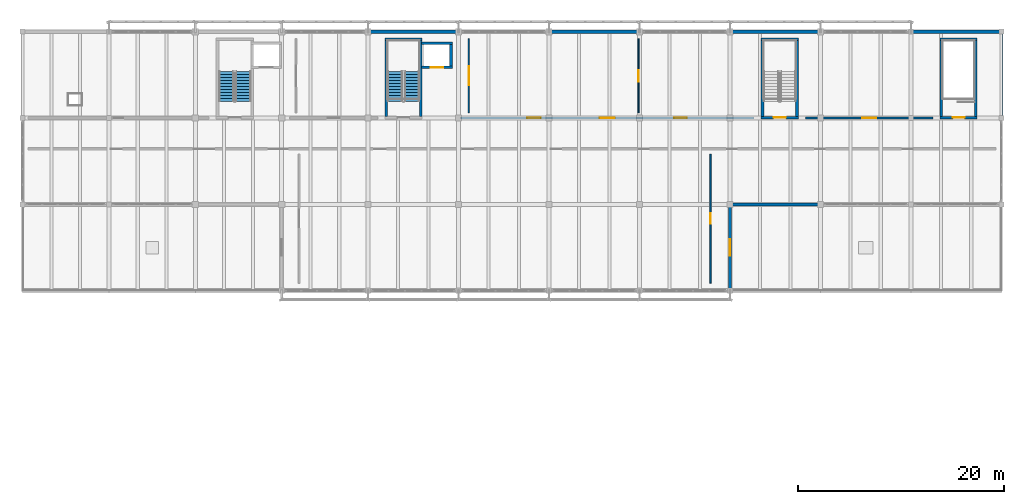
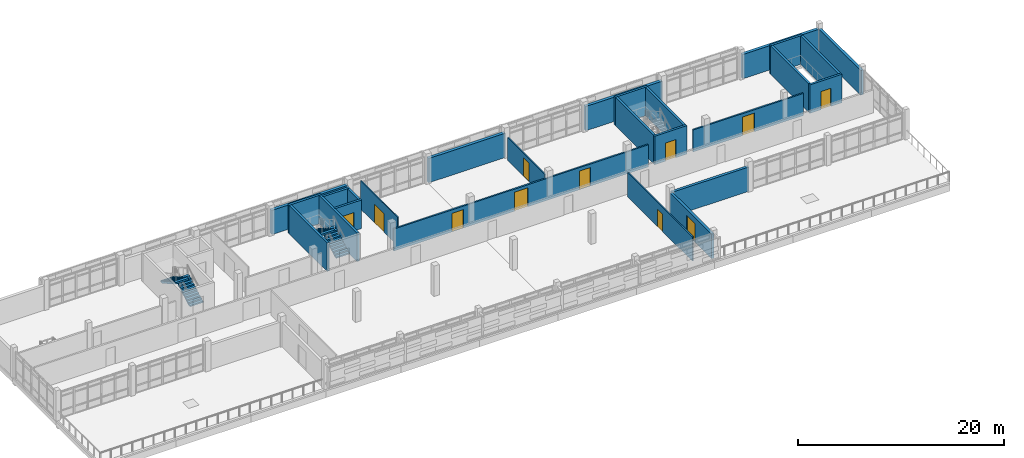
# One storey, part 45 of 50: 26 walls, 11 doors, 4 stair flights, 11 openings, 2 elements without a shape of their own.
"""IFC4 building model written with IfcOpenShell, lengths in metres."""

import ifcopenshell
import ifcopenshell.guid

model = None  # the IFC model being written
_history = None  # IfcOwnerHistory: only IFC2X3 demands one
_inside = {}  # id of a spatial element -> (the spatial element, [elements in it])
_under = {}  # id of a project, library or spatial element -> (it, [spatial elements below it])
_declared = {}  # id of a project -> (the project, [libraries it declares])
_typed = {}  # id of a type object -> (the type object, [elements of that type])
_made_of = {}  # id of a material, layer set ... -> (it, [elements and type objects made of it])


def new_model(schema):
    """Start an empty IFC model of exactly this schema.

    Asked for "IFC4X3", IfcOpenShell would pick the latest addendum, in which some entities
    have other attributes; the version numbers below select the first issue.
    IFC2X3 requires an IfcOwnerHistory on every rooted entity: one is made here for all.
    """
    global model, _history
    if schema == "IFC4X3":
        model = ifcopenshell.file(schema_version=(4, 3, 0, 0))
    else:
        model = ifcopenshell.file(schema=schema)
    _inside.clear()
    _under.clear()
    _declared.clear()
    _typed.clear()
    _made_of.clear()
    _history = None
    if model.schema == "IFC2X3":
        org = make("IfcOrganization", Name="unknown")
        user = make(
            "IfcPersonAndOrganization",
            ThePerson=make("IfcPerson", FamilyName="unknown"),
            TheOrganization=org,
        )
        app = make(
            "IfcApplication",
            ApplicationDeveloper=org,
            Version="unknown",
            ApplicationFullName="unknown",
            ApplicationIdentifier="unknown",
        )
        _history = make(
            "IfcOwnerHistory",
            OwningUser=user,
            OwningApplication=app,
            ChangeAction="ADDED",
            CreationDate=0,
        )
    return model


def make(cls, **values):
    """One entity of the class cls with the attributes given. An attribute that is None is left unset."""
    return model.create_entity(
        cls, **{name: value for name, value in values.items() if value is not None}
    )


def rooted(cls, **values):
    """An entity with a GlobalId (a new one), such as an element, a storey or a relation."""
    return make(cls, GlobalId=ifcopenshell.guid.new(), OwnerHistory=_history, **values)


def si_unit(unit_type, name, prefix=None):
    """IfcSIUnit, for example si_unit("LENGTHUNIT", "METRE", prefix="MILLI")."""
    return make("IfcSIUnit", UnitType=unit_type, Prefix=prefix, Name=name)


def assignment(units):
    """IfcUnitAssignment: the units of a project."""
    return None if units is None else make("IfcUnitAssignment", Units=units)


def point(xyz):
    """IfcCartesianPoint."""
    return None if xyz is None else make("IfcCartesianPoint", Coordinates=xyz)


def direction(xyz):
    """IfcDirection."""
    return None if xyz is None else make("IfcDirection", DirectionRatios=xyz)


def frame(location, z_axis=None, x_axis=None):
    """IfcAxis2Placement3D, a coordinate frame: its origin and axes. An axis left out is left unset."""
    return make(
        "IfcAxis2Placement3D",
        Location=point(location),
        Axis=direction(z_axis),
        RefDirection=direction(x_axis),
    )


def frame_2d(location, x_axis=None):
    """IfcAxis2Placement2D, a coordinate frame in the plane: its origin and x axis."""
    return make(
        "IfcAxis2Placement2D", Location=point(location), RefDirection=direction(x_axis)
    )


def origin():
    """The frame at (0, 0, 0) with its axes left unset."""
    return frame((0.0, 0.0, 0.0))


def place(relative_to, where):
    """IfcLocalPlacement: puts the frame where relative to a parent placement (None: the world)."""
    return make(
        "IfcLocalPlacement", PlacementRelTo=relative_to, RelativePlacement=where
    )


def context(
    kind, dimensions, precision=None, world=None, true_north=None, identifier=None
):
    """IfcGeometricRepresentationContext, for example the 3D "Model" context."""
    return make(
        "IfcGeometricRepresentationContext",
        ContextIdentifier=identifier,
        ContextType=kind,
        CoordinateSpaceDimension=dimensions,
        Precision=precision,
        WorldCoordinateSystem=world,
        TrueNorth=true_north,
    )


def subcontext(parent, identifier, kind, view, scale=None):
    """IfcGeometricRepresentationSubContext, for example "Body" below "Model"."""
    return make(
        "IfcGeometricRepresentationSubContext",
        ContextIdentifier=identifier,
        ContextType=kind,
        ParentContext=parent,
        TargetScale=scale,
        TargetView=view,
    )


def project(units=None, contexts=None):
    """IfcProject with its units and contexts."""
    return rooted(
        "IfcProject",
        Name="project",
        RepresentationContexts=contexts,
        UnitsInContext=assignment(units),
    )


def spatial(cls, under=None, at=None, **own):
    """A site, building, storey or space (cls), placed at a placement, below another one or the project."""
    s = rooted(cls, ObjectPlacement=at, **own)
    if under is not None:
        _under.setdefault(under.id(), (under, []))[1].append(s)
    return s


def polyline(points):
    """IfcPolyline through the points."""
    return make("IfcPolyline", Points=[point(p) for p in points])


def profile(cls, at=None, kind="AREA", **sizes):
    """A parametric profile (cls). Its sizes go by their IFC names, for example OverallWidth=200.0."""
    return make(cls, ProfileType=kind, Position=at, **sizes)


def rectangle(**sizes):
    """IfcRectangleProfileDef."""
    return profile("IfcRectangleProfileDef", **sizes)


def outline(outer, holes=None, kind="AREA"):
    """IfcArbitraryClosedProfileDef: a profile drawn as a closed curve; with holes, ...WithVoids."""
    if holes is None:
        return make("IfcArbitraryClosedProfileDef", ProfileType=kind, OuterCurve=outer)
    return make(
        "IfcArbitraryProfileDefWithVoids",
        ProfileType=kind,
        OuterCurve=outer,
        InnerCurves=holes,
    )


def extrude(swept, where, along, depth):
    """IfcExtrudedAreaSolid: the profile swept, set in the frame where, extruded along a direction by depth."""
    return make(
        "IfcExtrudedAreaSolid",
        SweptArea=swept,
        Position=where,
        ExtrudedDirection=direction(along),
        Depth=depth,
    )


def shape(context_of_items, identifier, shape_type, items):
    """IfcShapeRepresentation: the items that make up one representation, for example the "Body"."""
    return make(
        "IfcShapeRepresentation",
        ContextOfItems=context_of_items,
        RepresentationIdentifier=identifier,
        RepresentationType=shape_type,
        Items=items,
    )


def material(Name=None, Category=None):
    """IfcMaterial."""
    return make("IfcMaterial", Name=Name, Category=Category)


def layer(
    of_material, thickness, ventilated=None, Name=None, Category=None, Priority=None
):
    """IfcMaterialLayer: one layer of a wall or slab, of a material (None: an air gap)."""
    return make(
        "IfcMaterialLayer",
        Material=of_material,
        LayerThickness=thickness,
        IsVentilated=ventilated,
        Name=Name,
        Category=Category,
        Priority=Priority,
    )


def layer_set(layers, Name=None):
    """IfcMaterialLayerSet."""
    return make("IfcMaterialLayerSet", MaterialLayers=layers, LayerSetName=Name)


def made_of(thing, what):
    """Note that an element or type object is made of a material, layer set ...; save() writes the relation."""
    if what is not None:
        _made_of.setdefault(what.id(), (what, []))[1].append(thing)
    return thing


def type_object(cls, material=None, **own):
    """A type object (cls), such as IfcWallType, which elements share."""
    return made_of(rooted(cls, **own), material)


def element(
    cls,
    number,
    at=None,
    inside=None,
    cuts=None,
    type_object=None,
    material=None,
    context=None,
    identifier="Body",
    shape_type=None,
    held_by="IfcProductDefinitionShape",
    body=None,
    shapes=None,
    **own,
):
    """One element of the class cls, such as IfcWall. Its Tag is "e" and its number.

    at: its placement. inside: the storey or other place that contains it. cuts: it is an
    opening in that element (IfcRelVoidsElement). A single representation is given by context,
    identifier, shape_type and body (its items); several are given by shapes. held_by: the class
    of the entity that holds the representations. save() writes the other relations.
    """
    e = rooted(cls, Tag="e%d" % number, ObjectPlacement=at, **own)
    if body is not None:
        shapes = [shape(context, identifier, shape_type, body)]
    if shapes is not None:
        e.Representation = make(held_by, Representations=shapes)
    if inside is not None:
        _inside.setdefault(inside.id(), (inside, []))[1].append(e)
    if cuts is not None:
        rooted(
            "IfcRelVoidsElement", RelatingBuildingElement=cuts, RelatedOpeningElement=e
        )
    if type_object is not None:
        _typed.setdefault(type_object.id(), (type_object, []))[1].append(e)
    return made_of(e, material)


def fill(opening, filler):
    """IfcRelFillsElement: the door or window that sits in an opening."""
    return rooted(
        "IfcRelFillsElement",
        RelatingOpeningElement=opening,
        RelatedBuildingElement=filler,
    )


def aggregate(whole, parts):
    """IfcRelAggregates: a whole, such as a stair, and the parts it consists of."""
    return rooted("IfcRelAggregates", RelatingObject=whole, RelatedObjects=parts)


def save(model, path):
    """Write the relations noted so far, then the file.

    IfcRelAggregates (storeys below a building ...), IfcRelContainedInSpatialStructure (elements
    in a storey), IfcRelDefinesByType, IfcRelAssociatesMaterial and IfcRelDeclares: one each for
    every whole, place, type object, material and project.
    """
    for whole, parts in _under.values():
        aggregate(whole, parts)
    for where, things in _inside.values():
        rooted(
            "IfcRelContainedInSpatialStructure",
            RelatedElements=things,
            RelatingStructure=where,
        )
    for kind, things in _typed.values():
        rooted("IfcRelDefinesByType", RelatedObjects=things, RelatingType=kind)
    for what, things in _made_of.values():
        rooted("IfcRelAssociatesMaterial", RelatedObjects=things, RelatingMaterial=what)
    for by, libraries in _declared.values():
        rooted("IfcRelDeclares", RelatingContext=by, RelatedDefinitions=libraries)
    model.write(path)


model = new_model("IFC4")

# Units and contexts
model_context = context("Model", 3, precision=1e-05, world=origin(), true_north=direction((0.0, 1.0)))
body_context = subcontext(model_context, "Body", "Model", "MODEL_VIEW")
ifc_project = project(units=[si_unit("LENGTHUNIT", "METRE"), si_unit("AREAUNIT", "SQUARE_METRE"), si_unit("VOLUMEUNIT", "CUBIC_METRE"), si_unit("PLANEANGLEUNIT", "RADIAN"), si_unit("MASSUNIT", "GRAM", prefix="KILO")], contexts=[model_context])

# Site, building, storey
site_placement = place(None, origin())
site = spatial("IfcSite", under=ifc_project, at=site_placement, CompositionType="ELEMENT")
building_placement = place(site_placement, origin())
building = spatial("IfcBuilding", under=site, at=building_placement, Name="Cinderway Yard Community Centre", CompositionType="ELEMENT")
storey_placement = place(building_placement, frame((0.0, 0.0, 12.89990234375)))
storey = spatial("IfcBuildingStorey", under=building, at=storey_placement, Name="L03", CompositionType="ELEMENT", Elevation=12.89990234375)

# Wall, opening, door
ifc_material_1 = material(Name="Concrete C35/45", Category="concrete")
ifc_layer_1 = layer(ifc_material_1, 0.280029296875, Name="Concrete C35/45")
ifc_layer_set_1 = layer_set([ifc_layer_1], Name="Concrete C35/45")
wall_type_1 = type_object("IfcWallType", Name="ENV-WAL-EXT280", PredefinedType="SOLIDWALL", material=ifc_layer_set_1)
wall_1_placement = place(storey_placement, frame((110.39990234375, 90.14990234375, 0.0), z_axis=(0.0, 0.0, 1.0), x_axis=(0.0, 1.0, 0.0)))
wall_1 = element("IfcWall", 1, at=wall_1_placement, inside=storey, type_object=wall_type_1, Name="V4 Library Terrace Door Wall ENV-WAL-L03-0177", PredefinedType="SOLIDWALL", context=body_context, shape_type="SweptSolid", body=[
    extrude(rectangle(XDim=8.10009765625, YDim=0.280029296875, at=frame_2d((4.050048828125, 0.0))), origin(), (0.0, 0.0, 1.0), 2.9150390625),
])
opening_1_placement = place(wall_1_placement, frame((3.25, 0.0, 0.0)))
opening_1 = element("IfcOpeningElement", 2, at=opening_1_placement, cuts=wall_1, Name="Opening D-TR1", PredefinedType="OPENING", context=body_context, shape_type="SweptSolid", body=[
    extrude(rectangle(XDim=1.60009765625, YDim=2.199951171875, at=frame_2d((0.800048828125, 1.10009765625))), frame((0.0, 0.14990234375, 0.0), z_axis=(0.0, -1.0, 0.0), x_axis=(1.0, 0.0, 0.0)), (0.0, 0.0, 1.0), 0.300048828125),
])
ifc_material_2 = material(Name="Aluminium 6063-T6", Category="aluminium")
door_type_1 = type_object("IfcDoorType", Name="INT-DOR-TER160", OperationType="DOUBLE_DOOR_SINGLE_SWING", PredefinedType="DOOR", material=ifc_material_2)
door_1_placement = place(opening_1_placement, origin())
door_1 = element("IfcDoor", 3, at=door_1_placement, inside=storey, type_object=door_type_1, Name="Library L03 East Reading Terrace Door EXT-DOR-L03-0089", OperationType="DOUBLE_DOOR_SINGLE_SWING", OverallHeight=2.199951171875, OverallWidth=1.60009765625, PredefinedType="DOOR", context=body_context, shape_type="SweptSolid", body=[
    extrude(rectangle(XDim=1.60009765625, YDim=2.199951171875, at=frame_2d((0.800048828125, 1.10009765625))), frame((0.0, 0.02490234375, 0.0), z_axis=(0.0, -1.0, 0.0), x_axis=(1.0, 0.0, 0.0)), (0.0, 0.0, 1.0), 0.050048828125),
])
fill(opening_1, door_1)

# Walls
ifc_material_3 = material(Name="Brick Masonry", Category="masonry")
ifc_layer_2 = layer(ifc_material_3, 0.300048828125, Name="Brick Masonry")
ifc_layer_set_2 = layer_set([ifc_layer_2], Name="Brick Masonry")
wall_type_2 = type_object("IfcWallType", Name="ENV-WAL-EXT300", PredefinedType="SOLIDWALL", material=ifc_layer_set_2)
wall_2_placement = place(storey_placement, frame((110.5, 98.39990234375, 0.0), z_axis=(0.0, 0.0, 1.0), x_axis=(1.0, 0.0, 0.0)))
element("IfcWall", 4, at=wall_2_placement, inside=storey, type_object=wall_type_2, Name="V4 Courtyard Portal Wall ENV-WAL-L03-0172", PredefinedType="SOLIDWALL", context=body_context, shape_type="SweptSolid", body=[
    extrude(rectangle(XDim=8.60009765625, YDim=0.300048828125, at=frame_2d((4.300048828125, 0.0))), origin(), (0.0, 0.0, 1.0), 2.885009765625),
])
wall_3_placement = place(storey_placement, frame((136.800048828125, 106.89990234375, 0.0), z_axis=(0.0, 0.0, 1.0), x_axis=(0.0, 1.0, 0.0)))
element("IfcWall", 5, at=wall_3_placement, inside=storey, type_object=wall_type_2, Name="V4 East End Wall ENV-WAL-L03-0175", PredefinedType="SOLIDWALL", context=body_context, shape_type="SweptSolid", body=[
    extrude(rectangle(XDim=8.2001953125, YDim=0.300048828125, at=frame_2d((4.10009765625, 0.0))), origin(), (0.0, 0.0, 1.0), 2.9150390625),
])
ifc_layer_3 = layer(ifc_material_3, 0.340087890625, Name="Brick Masonry")
ifc_layer_set_3 = layer_set([ifc_layer_3], Name="Brick Masonry")
wall_type_3 = type_object("IfcWallType", Name="ENV-WAL-EXT340", PredefinedType="SOLIDWALL", material=ifc_layer_set_3)
wall_4_placement = place(storey_placement, frame((75.300048828125, 115.199951171875, 0.0), z_axis=(0.0, 0.0, 1.0), x_axis=(1.0, 0.0, 0.0)))
element("IfcWall", 6, at=wall_4_placement, inside=storey, type_object=wall_type_3, Name="V4 Street Brick Facade Wall ENV-WAL-L03-0169", PredefinedType="SOLIDWALL", context=body_context, shape_type="SweptSolid", body=[
    extrude(rectangle(XDim=8.599853515625, YDim=0.340087890625, at=frame_2d((4.2998046875, 0.0))), origin(), (0.0, 0.0, 1.0), 2.885009765625),
])
for number, where, z_axis, x_axis, name in (
    (7, (92.89990234375, 115.199951171875, 0.0), (0.0, 0.0, 1.0), (1.0, 0.0, 0.0), "V4 Street Brick Facade Wall ENV-WAL-L03-0170"),
    (8, (110.5, 115.199951171875, 0.0), (0.0, 0.0, 1.0), (1.0, 0.0, 0.0), "V4 Street Brick Facade Wall ENV-WAL-L03-0171"),
):
    element("IfcWall", number, at=place(storey_placement, frame(where, z_axis=z_axis, x_axis=x_axis)), inside=storey, type_object=wall_type_3, Name=name, PredefinedType="SOLIDWALL", context=body_context, shape_type="SweptSolid", body=[
        extrude(rectangle(XDim=8.60009765625, YDim=0.340087890625, at=frame_2d((4.300048828125, 0.0))), origin(), (0.0, 0.0, 1.0), 2.885009765625),
    ])
wall_5_placement = place(storey_placement, frame((128.10009765625, 115.199951171875, 0.0), z_axis=(0.0, 0.0, 1.0), x_axis=(1.0, 0.0, 0.0)))
element("IfcWall", 9, at=wall_5_placement, inside=storey, type_object=wall_type_3, Name="V4 Street Brick Facade Wall ENV-WAL-L03-0173", PredefinedType="SOLIDWALL", context=body_context, shape_type="SweptSolid", body=[
    extrude(rectangle(XDim=8.599853515625, YDim=0.340087890625, at=frame_2d((4.2998046875, 0.0))), origin(), (0.0, 0.0, 1.0), 2.885009765625),
])

# Wall, opening, door
ifc_material_4 = material(Name="Gypsum Board Partition", Category="gypsum")
ifc_layer_4 = layer(ifc_material_4, 0.1201171875, Name="Gypsum Board Partition")
ifc_layer_set_4 = layer_set([ifc_layer_4], Name="Gypsum Board Partition")
wall_type_4 = type_object("IfcWallType", Name="INT-WAL-PRT120", PredefinedType="PARTITIONING", material=ifc_layer_set_4)
wall_6_placement = place(storey_placement, frame((85.0, 107.300048828125, 0.0), z_axis=(0.0, 0.0, 1.0), x_axis=(0.0, 1.0, 0.0)))
wall_6 = element("IfcWall", 10, at=wall_6_placement, inside=storey, type_object=wall_type_4, Name="V4 L03 North Room Partition INT-PRT-L03-0324", PredefinedType="PARTITIONING", context=body_context, shape_type="SweptSolid", body=[
    extrude(rectangle(XDim=7.199951171875, YDim=0.1201171875, at=frame_2d((3.60009765625, 0.0))), origin(), (0.0, 0.0, 1.0), 3.364990234375),
])
opening_2_placement = place(wall_6_placement, frame((2.675048828125, 0.0, 0.0)))
opening_2 = element("IfcOpeningElement", 11, at=opening_2_placement, cuts=wall_6, Name="Opening D-02", PredefinedType="OPENING", context=body_context, shape_type="SweptSolid", body=[
    extrude(rectangle(XDim=1.85009765625, YDim=2.219970703125, at=frame_2d((0.925048828125, 1.10986328125))), frame((0.0, 0.070068359375, 0.0), z_axis=(0.0, -1.0, 0.0), x_axis=(1.0, 0.0, 0.0)), (0.0, 0.0, 1.0), 0.14013671875),
])
ifc_material_5 = material(Name="Hardwood Timber", Category="wood")
door_type_2 = type_object("IfcDoorType", Name="INT-DOR-HAL185", OperationType="DOUBLE_DOOR_SINGLE_SWING", PredefinedType="DOOR", material=ifc_material_5)
door_2_placement = place(opening_2_placement, origin())
door_2 = element("IfcDoor", 12, at=door_2_placement, inside=storey, type_object=door_type_2, Name="Room door INT-DOR-L03-0249", OperationType="DOUBLE_DOOR_SINGLE_SWING", OverallHeight=2.219970703125, OverallWidth=1.85009765625, PredefinedType="DOOR", context=body_context, shape_type="SweptSolid", body=[
    extrude(rectangle(XDim=1.85009765625, YDim=2.219970703125, at=frame_2d((0.925048828125, 1.10986328125))), frame((0.0, 0.02490234375, 0.0), z_axis=(0.0, -1.0, 0.0), x_axis=(1.0, 0.0, 0.0)), (0.0, 0.0, 1.0), 0.050048828125),
])
fill(opening_2, door_2)

wall_7_placement = place(storey_placement, frame((101.5, 107.300048828125, 0.0), z_axis=(0.0, 0.0, 1.0), x_axis=(0.0, 1.0, 0.0)))
wall_7 = element("IfcWall", 13, at=wall_7_placement, inside=storey, type_object=wall_type_4, Name="V4 L03 North Room Partition INT-PRT-L03-0325", PredefinedType="PARTITIONING", context=body_context, shape_type="SweptSolid", body=[
    extrude(rectangle(XDim=7.199951171875, YDim=0.1201171875, at=frame_2d((3.60009765625, 0.0))), origin(), (0.0, 0.0, 1.0), 2.715087890625),
])
opening_3_placement = place(wall_7_placement, frame((3.0400390625, 0.0, 0.0)))
opening_3 = element("IfcOpeningElement", 14, at=opening_3_placement, cuts=wall_7, Name="Opening D-03", PredefinedType="OPENING", context=body_context, shape_type="SweptSolid", body=[
    extrude(rectangle(XDim=1.1201171875, YDim=2.159912109375, at=frame_2d((0.56005859375, 1.080078125))), frame((0.0, 0.070068359375, 0.0), z_axis=(0.0, -1.0, 0.0), x_axis=(1.0, 0.0, 0.0)), (0.0, 0.0, 1.0), 0.14013671875),
])
door_type_3 = type_object("IfcDoorType", Name="INT-DOR-CLS112", OperationType="NOTDEFINED", PredefinedType="DOOR", material=ifc_material_5)
door_3_placement = place(opening_3_placement, origin())
door_3 = element("IfcDoor", 15, at=door_3_placement, inside=storey, type_object=door_type_3, Name="Room door INT-DOR-L03-0250", OperationType="SINGLE_SWING_LEFT", OverallHeight=2.159912109375, OverallWidth=1.1201171875, PredefinedType="DOOR", context=body_context, shape_type="SweptSolid", body=[
    extrude(rectangle(XDim=1.1201171875, YDim=2.159912109375, at=frame_2d((0.56005859375, 1.080078125))), frame((0.0, 0.02490234375, 0.0), z_axis=(0.0, -1.0, 0.0), x_axis=(1.0, 0.0, 0.0)), (0.0, 0.0, 1.0), 0.050048828125),
])
fill(opening_3, door_3)

ifc_layer_5 = layer(ifc_material_4, 0.139892578125, Name="Gypsum Board Partition")
ifc_layer_set_5 = layer_set([ifc_layer_5], Name="Gypsum Board Partition")
wall_type_5 = type_object("IfcWallType", Name="INT-WAL-PRT140", PredefinedType="PARTITIONING", material=ifc_layer_set_5)
wall_8_placement = place(storey_placement, frame((108.5, 90.75, 0.0), z_axis=(0.0, 0.0, 1.0), x_axis=(0.0, 1.0, 0.0)))
wall_8 = element("IfcWall", 16, at=wall_8_placement, inside=storey, type_object=wall_type_5, Name="V4 L03 South Room Partition INT-PRT-L03-0322", PredefinedType="PARTITIONING", context=body_context, shape_type="SweptSolid", body=[
    extrude(rectangle(XDim=12.550048828125, YDim=0.139892578125, at=frame_2d((6.27490234375, 0.0))), origin(), (0.0, 0.0, 1.0), 2.885009765625),
])
opening_4_placement = place(wall_8_placement, frame((5.7548828125, 0.0, 0.0)))
opening_4 = element("IfcOpeningElement", 17, at=opening_4_placement, cuts=wall_8, Name="Opening D-17", PredefinedType="OPENING", context=body_context, shape_type="SweptSolid", body=[
    extrude(rectangle(XDim=1.0400390625, YDim=2.080078125, at=frame_2d((0.52001953125, 1.0400390625))), frame((0.0, 0.079833984375, 0.0), z_axis=(0.0, -1.0, 0.0), x_axis=(1.0, 0.0, 0.0)), (0.0, 0.0, 1.0), 0.159912109375),
])
door_type_4 = type_object("IfcDoorType", Name="INT-DOR-NUR104", OperationType="NOTDEFINED", PredefinedType="DOOR", material=ifc_material_5)
door_4_placement = place(opening_4_placement, origin())
door_4 = element("IfcDoor", 18, at=door_4_placement, inside=storey, type_object=door_type_4, Name="Room door INT-DOR-L03-0247", OperationType="SINGLE_SWING_RIGHT", OverallHeight=2.080078125, OverallWidth=1.0400390625, PredefinedType="DOOR", context=body_context, shape_type="SweptSolid", body=[
    extrude(rectangle(XDim=1.0400390625, YDim=2.080078125, at=frame_2d((0.52001953125, 1.0400390625))), frame((0.0, 0.02490234375, 0.0), z_axis=(0.0, -1.0, 0.0), x_axis=(1.0, 0.0, 0.0)), (0.0, 0.0, 1.0), 0.050048828125),
])
fill(opening_4, door_4)

# Wall, openings, doors
ifc_layer_6 = layer(ifc_material_3, 0.179931640625, Name="Brick Masonry")
ifc_layer_set_6 = layer_set([ifc_layer_6], Name="Brick Masonry")
wall_type_6 = type_object("IfcWallType", Name="INT-WAL-PRT180", PredefinedType="PARTITIONING", material=ifc_layer_set_6)
wall_9_placement = place(storey_placement, frame((84.199951171875, 106.800048828125, 0.0), z_axis=(0.0, 0.0, 1.0), x_axis=(1.0, 0.0, 0.0)))
wall_9 = element("IfcWall", 19, at=wall_9_placement, inside=storey, type_object=wall_type_6, Name="V4 L03 North Corridor Spine INT-PRT-L03-0319", PredefinedType="PARTITIONING", context=body_context, shape_type="SweptSolid", body=[
    extrude(rectangle(XDim=28.530029296875, YDim=0.179931640625, at=frame_2d((14.26513671875, 0.0))), origin(), (0.0, 0.0, 1.0), 2.614990234375),
])
opening_5_placement = place(wall_9_placement, frame((6.48291015625, 0.0, 0.0)))
opening_5 = element("IfcOpeningElement", 20, at=opening_5_placement, cuts=wall_9, Name="Opening D-12", PredefinedType="OPENING", context=body_context, shape_type="SweptSolid", body=[
    extrude(rectangle(XDim=1.300048828125, YDim=2.199951171875, at=frame_2d((0.64990234375, 1.10009765625))), frame((0.0, 0.099853515625, 0.0), z_axis=(0.0, -1.0, 0.0), x_axis=(1.0, 0.0, 0.0)), (0.0, 0.0, 1.0), 0.199951171875),
])
opening_6_placement = place(wall_9_placement, frame((13.514892578125, 0.0, 0.0)))
opening_6 = element("IfcOpeningElement", 21, at=opening_6_placement, cuts=wall_9, Name="Opening D-13", PredefinedType="OPENING", context=body_context, shape_type="SweptSolid", body=[
    extrude(rectangle(XDim=1.5, YDim=2.25, at=frame_2d((0.75, 1.125))), frame((0.0, 0.099853515625, 0.0), z_axis=(0.0, -1.0, 0.0), x_axis=(1.0, 0.0, 0.0)), (0.0, 0.0, 1.0), 0.199951171875),
])
opening_7_placement = place(wall_9_placement, frame((20.777099609375, 0.0, 0.0)))
opening_7 = element("IfcOpeningElement", 22, at=opening_7_placement, cuts=wall_9, Name="Opening D-14", PredefinedType="OPENING", context=body_context, shape_type="SweptSolid", body=[
    extrude(rectangle(XDim=1.239990234375, YDim=2.199951171875, at=frame_2d((0.6201171875, 1.10009765625))), frame((0.0, 0.099853515625, 0.0), z_axis=(0.0, -1.0, 0.0), x_axis=(1.0, 0.0, 0.0)), (0.0, 0.0, 1.0), 0.199951171875),
])
ifc_material_6 = material(Name="Painted Galvanised Steel", Category="steel")
door_type_5 = type_object("IfcDoorType", Name="INT-DOR-PLT130", OperationType="NOTDEFINED", PredefinedType="DOOR", material=ifc_material_6)
door_5_placement = place(opening_5_placement, origin())
door_5 = element("IfcDoor", 23, at=door_5_placement, inside=storey, type_object=door_type_5, Name="Room door INT-DOR-L03-0242", OperationType="SINGLE_SWING_RIGHT", OverallHeight=2.199951171875, OverallWidth=1.300048828125, PredefinedType="DOOR", context=body_context, shape_type="SweptSolid", body=[
    extrude(rectangle(XDim=1.300048828125, YDim=2.199951171875, at=frame_2d((0.64990234375, 1.10009765625))), frame((0.0, 0.02490234375, 0.0), z_axis=(0.0, -1.0, 0.0), x_axis=(1.0, 0.0, 0.0)), (0.0, 0.0, 1.0), 0.050048828125),
])
fill(opening_5, door_5)
door_type_6 = type_object("IfcDoorType", Name="INT-DOR-PLT150", OperationType="DOUBLE_DOOR_SINGLE_SWING", PredefinedType="DOOR", material=ifc_material_6)
door_6_placement = place(opening_6_placement, origin())
door_6 = element("IfcDoor", 24, at=door_6_placement, inside=storey, type_object=door_type_6, Name="Room door INT-DOR-L03-0243", OperationType="DOUBLE_DOOR_SINGLE_SWING", OverallHeight=2.25, OverallWidth=1.5, PredefinedType="DOOR", context=body_context, shape_type="SweptSolid", body=[
    extrude(rectangle(XDim=1.5, YDim=2.25, at=frame_2d((0.75, 1.125))), frame((0.0, 0.02490234375, 0.0), z_axis=(0.0, -1.0, 0.0), x_axis=(1.0, 0.0, 0.0)), (0.0, 0.0, 1.0), 0.050048828125),
])
fill(opening_6, door_6)
door_type_7 = type_object("IfcDoorType", Name="INT-DOR-STU124", OperationType="NOTDEFINED", PredefinedType="DOOR", material=ifc_material_5)
door_7_placement = place(opening_7_placement, origin())
door_7 = element("IfcDoor", 25, at=door_7_placement, inside=storey, type_object=door_type_7, Name="Room door INT-DOR-L03-0244", OperationType="SINGLE_SWING_LEFT", OverallHeight=2.199951171875, OverallWidth=1.239990234375, PredefinedType="DOOR", context=body_context, shape_type="SweptSolid", body=[
    extrude(rectangle(XDim=1.239990234375, YDim=2.199951171875, at=frame_2d((0.6201171875, 1.10009765625))), frame((0.0, 0.02490234375, 0.0), z_axis=(0.0, -1.0, 0.0), x_axis=(1.0, 0.0, 0.0)), (0.0, 0.0, 1.0), 0.050048828125),
])
fill(opening_7, door_7)

# Wall, opening, door
wall_10_placement = place(storey_placement, frame((117.75, 106.800048828125, 0.0), z_axis=(0.0, 0.0, 1.0), x_axis=(1.0, 0.0, 0.0)))
wall_10 = element("IfcWall", 26, at=wall_10_placement, inside=storey, type_object=wall_type_6, Name="V4 L03 North Corridor Spine INT-PRT-L03-0320", PredefinedType="PARTITIONING", context=body_context, shape_type="SweptSolid", body=[
    extrude(rectangle(XDim=12.3798828125, YDim=0.179931640625, at=frame_2d((6.18994140625, 0.0))), origin(), (0.0, 0.0, 1.0), 2.614990234375),
])
opening_8_placement = place(wall_10_placement, frame((5.510009765625, 0.0, 0.0)))
opening_8 = element("IfcOpeningElement", 27, at=opening_8_placement, cuts=wall_10, Name="Opening D-15", PredefinedType="OPENING", context=body_context, shape_type="SweptSolid", body=[
    extrude(rectangle(XDim=1.360107421875, YDim=2.219970703125, at=frame_2d((0.68017578125, 1.10986328125))), frame((0.0, 0.099853515625, 0.0), z_axis=(0.0, -1.0, 0.0), x_axis=(1.0, 0.0, 0.0)), (0.0, 0.0, 1.0), 0.199951171875),
])
door_type_8 = type_object("IfcDoorType", Name="INT-DOR-STU136", OperationType="DOUBLE_DOOR_SINGLE_SWING", PredefinedType="DOOR", material=ifc_material_5)
door_8_placement = place(opening_8_placement, origin())
door_8 = element("IfcDoor", 28, at=door_8_placement, inside=storey, type_object=door_type_8, Name="Room door INT-DOR-L03-0245", OperationType="DOUBLE_DOOR_SINGLE_SWING", OverallHeight=2.219970703125, OverallWidth=1.360107421875, PredefinedType="DOOR", context=body_context, shape_type="SweptSolid", body=[
    extrude(rectangle(XDim=1.360107421875, YDim=2.219970703125, at=frame_2d((0.68017578125, 1.10986328125))), frame((0.0, 0.02490234375, 0.0), z_axis=(0.0, -1.0, 0.0), x_axis=(1.0, 0.0, 0.0)), (0.0, 0.0, 1.0), 0.050048828125),
])
fill(opening_8, door_8)

# Walls
ifc_material_7 = material(Name="Concrete C40/50", Category="concrete")
ifc_layer_7 = layer(ifc_material_7, 0.25, Name="Concrete C40/50")
ifc_layer_set_7 = layer_set([ifc_layer_7], Name="Concrete C40/50")
wall_type_7 = type_object("IfcWallType", Name="INT-WAL-SHR250", PredefinedType="SHEAR", material=ifc_layer_set_7)
wall_11_placement = place(storey_placement, frame((76.8349609375, 114.469970703125, 0.0), z_axis=(0.0, 0.0, 1.0), x_axis=(1.0, 0.0, 0.0)))
element("IfcWall", 29, at=wall_11_placement, inside=storey, type_object=wall_type_7, Name="Stair ST-02 Back Wall INT-WAL-L03-0056", PredefinedType="SHEAR", context=body_context, shape_type="SweptSolid", body=[
    extrude(rectangle(XDim=3.610107421875, YDim=0.25, at=frame_2d((1.80517578125, 0.0))), origin(), (0.0, 0.0, 1.0), 3.380126953125),
])
for number, where, z_axis, x_axis, name in (
    (30, (76.9599609375, 106.955078125, 0.0), (0.0, 0.0, 1.0), (0.0, 1.0, 0.0), "Stair ST-02 Side Wall L INT-WAL-L03-0057"),
    (31, (80.320068359375, 114.344970703125, 0.0), (0.0, 0.0, 1.0), (0.0, -1.0, 0.0), "Stair ST-02 Side Wall R INT-WAL-L03-0058"),
):
    element("IfcWall", number, at=place(storey_placement, frame(where, z_axis=z_axis, x_axis=x_axis)), inside=storey, type_object=wall_type_7, Name=name, PredefinedType="SHEAR", context=body_context, shape_type="SweptSolid", body=[
        extrude(rectangle(XDim=7.389892578125, YDim=0.25, at=frame_2d((3.69482421875, 0.0))), origin(), (0.0, 0.0, 1.0), 3.380126953125),
    ])

# Wall, opening, door
wall_12_placement = place(storey_placement, frame((80.39990234375, 111.72998046875, 0.0), z_axis=(0.0, 0.0, 1.0), x_axis=(1.0, 0.0, 0.0)))
wall_12 = element("IfcWall", 32, at=wall_12_placement, inside=storey, type_object=wall_type_7, Name="Lift LF-02 South Wall INT-WAL-L03-0076", PredefinedType="SHEAR", context=body_context, shape_type="SweptSolid", body=[
    extrude(rectangle(XDim=3.0, YDim=0.25, at=frame_2d((1.5, 0.0))), origin(), (0.0, 0.0, 1.0), 3.380126953125),
])
opening_9_placement = place(wall_12_placement, frame((0.889892578125, 0.0, 0.0)))
opening_9 = element("IfcOpeningElement", 33, at=opening_9_placement, cuts=wall_12, Name="Opening LD-02", PredefinedType="OPENING", context=body_context, shape_type="SweptSolid", body=[
    extrude(rectangle(XDim=1.219970703125, YDim=2.179931640625, at=frame_2d((0.60986328125, 1.08984375))), frame((0.0, 0.135009765625, 0.0), z_axis=(0.0, -1.0, 0.0), x_axis=(1.0, 0.0, 0.0)), (0.0, 0.0, 1.0), 0.27001953125),
])
door_type_9 = type_object("IfcDoorType", Name="INT-DOR-LD02", OperationType="SLIDING_TO_RIGHT", PredefinedType="DOOR", material=ifc_material_6)
door_9_placement = place(opening_9_placement, origin())
door_9 = element("IfcDoor", 34, at=door_9_placement, inside=storey, type_object=door_type_9, Name="Lift landing door INT-DOR-L03-0022", OperationType="SLIDING_TO_RIGHT", OverallHeight=2.179931640625, OverallWidth=1.219970703125, PredefinedType="DOOR", context=body_context, shape_type="SweptSolid", body=[
    extrude(rectangle(XDim=1.219970703125, YDim=2.179931640625, at=frame_2d((0.60986328125, 1.08984375))), frame((0.0, 0.02490234375, 0.0), z_axis=(0.0, -1.0, 0.0), x_axis=(1.0, 0.0, 0.0)), (0.0, 0.0, 1.0), 0.050048828125),
])
fill(opening_9, door_9)

# Walls
wall_13_placement = place(storey_placement, frame((83.39990234375, 114.070068359375, 0.0), z_axis=(0.0, 0.0, 1.0), x_axis=(-1.0, 0.0, 0.0)))
element("IfcWall", 35, at=wall_13_placement, inside=storey, type_object=wall_type_7, Name="Lift LF-02 North Wall INT-WAL-L03-0077", PredefinedType="SHEAR", context=body_context, shape_type="SweptSolid", body=[
    extrude(rectangle(XDim=3.0, YDim=0.25, at=frame_2d((1.5, 0.0))), origin(), (0.0, 0.0, 1.0), 3.380126953125),
])
wall_14_placement = place(storey_placement, frame((83.27001953125, 111.860107421875, 0.0), z_axis=(0.0, 0.0, 1.0), x_axis=(0.0, 1.0, 0.0)))
element("IfcWall", 36, at=wall_14_placement, inside=storey, type_object=wall_type_7, Name="Lift LF-02 East Wall INT-WAL-L03-0078", PredefinedType="SHEAR", context=body_context, shape_type="SweptSolid", body=[
    extrude(rectangle(XDim=2.079833984375, YDim=0.25, at=frame_2d((1.0400390625, 0.0))), origin(), (0.0, 0.0, 1.0), 3.380126953125),
])

# Wall, opening, door
wall_15_placement = place(storey_placement, frame((117.044921875, 106.830078125, 0.0), z_axis=(0.0, 0.0, 1.0), x_axis=(-1.0, 0.0, 0.0)))
wall_15 = element("IfcWall", 37, at=wall_15_placement, inside=storey, type_object=wall_type_7, Name="Stair ST-03 Entry Wall INT-WAL-L03-0097", PredefinedType="SHEAR", context=body_context, shape_type="SweptSolid", body=[
    extrude(rectangle(XDim=3.60986328125, YDim=0.25, at=frame_2d((1.804931640625, 0.0))), origin(), (0.0, 0.0, 1.0), 3.380126953125),
])
opening_10_placement = place(wall_15_placement, frame((1.205078125, 0.0, 0.0)))
opening_10 = element("IfcOpeningElement", 38, at=opening_10_placement, cuts=wall_15, Name="Opening D-ST1", PredefinedType="OPENING", context=body_context, shape_type="SweptSolid", body=[
    extrude(rectangle(XDim=1.199951171875, YDim=2.14990234375, at=frame_2d((0.60009765625, 1.074951171875))), frame((0.0, 0.135009765625, 0.0), z_axis=(0.0, -1.0, 0.0), x_axis=(1.0, 0.0, 0.0)), (0.0, 0.0, 1.0), 0.27001953125),
])
door_type_10 = type_object("IfcDoorType", Name="INT-DOR-ST120", OperationType="NOTDEFINED", PredefinedType="DOOR", material=ifc_material_6)
door_10_placement = place(opening_10_placement, origin())
door_10 = element("IfcDoor", 39, at=door_10_placement, inside=storey, type_object=door_type_10, Name="Core door INT-DOR-L03-0028", OperationType="SINGLE_SWING_RIGHT", OverallHeight=2.14990234375, OverallWidth=1.199951171875, PredefinedType="DOOR", context=body_context, shape_type="SweptSolid", body=[
    extrude(rectangle(XDim=1.199951171875, YDim=2.14990234375, at=frame_2d((0.60009765625, 1.074951171875))), frame((0.0, 0.02490234375, 0.0), z_axis=(0.0, -1.0, 0.0), x_axis=(1.0, 0.0, 0.0)), (0.0, 0.0, 1.0), 0.050048828125),
])
fill(opening_10, door_10)

# Walls
wall_16_placement = place(storey_placement, frame((113.43505859375, 114.469970703125, 0.0), z_axis=(0.0, 0.0, 1.0), x_axis=(1.0, 0.0, 0.0)))
element("IfcWall", 40, at=wall_16_placement, inside=storey, type_object=wall_type_7, Name="Stair ST-03 Back Wall INT-WAL-L03-0098", PredefinedType="SHEAR", context=body_context, shape_type="SweptSolid", body=[
    extrude(rectangle(XDim=3.60986328125, YDim=0.25, at=frame_2d((1.804931640625, 0.0))), origin(), (0.0, 0.0, 1.0), 3.380126953125),
])
for number, where, z_axis, x_axis, name in (
    (41, (113.56005859375, 106.955078125, 0.0), (0.0, 0.0, 1.0), (0.0, 1.0, 0.0), "Stair ST-03 Side Wall L INT-WAL-L03-0099"),
    (42, (116.919921875, 114.344970703125, 0.0), (0.0, 0.0, 1.0), (0.0, -1.0, 0.0), "Stair ST-03 Side Wall R INT-WAL-L03-0100"),
):
    element("IfcWall", number, at=place(storey_placement, frame(where, z_axis=z_axis, x_axis=x_axis)), inside=storey, type_object=wall_type_7, Name=name, PredefinedType="SHEAR", context=body_context, shape_type="SweptSolid", body=[
        extrude(rectangle(XDim=7.389892578125, YDim=0.25, at=frame_2d((3.69482421875, 0.0))), origin(), (0.0, 0.0, 1.0), 3.380126953125),
    ])

# Wall, opening, door
wall_17_placement = place(storey_placement, frame((134.445068359375, 106.830078125, 0.0), z_axis=(0.0, 0.0, 1.0), x_axis=(-1.0, 0.0, 0.0)))
wall_17 = element("IfcWall", 43, at=wall_17_placement, inside=storey, type_object=wall_type_7, Name="Stair ST-04 Entry Wall INT-WAL-L03-0121", PredefinedType="SHEAR", context=body_context, shape_type="SweptSolid", body=[
    extrude(rectangle(XDim=3.610107421875, YDim=0.25, at=frame_2d((1.80517578125, 0.0))), origin(), (0.0, 0.0, 1.0), 3.380126953125),
])
opening_11_placement = place(wall_17_placement, frame((1.235107421875, 0.0, 0.0)))
opening_11 = element("IfcOpeningElement", 44, at=opening_11_placement, cuts=wall_17, Name="Opening D-ST2", PredefinedType="OPENING", context=body_context, shape_type="SweptSolid", body=[
    extrude(rectangle(XDim=1.139892578125, YDim=2.14990234375, at=frame_2d((0.56982421875, 1.074951171875))), frame((0.0, 0.135009765625, 0.0), z_axis=(0.0, -1.0, 0.0), x_axis=(1.0, 0.0, 0.0)), (0.0, 0.0, 1.0), 0.27001953125),
])
door_type_11 = type_object("IfcDoorType", Name="INT-DOR-ST114", OperationType="NOTDEFINED", PredefinedType="DOOR", material=ifc_material_6)
door_11_placement = place(opening_11_placement, origin())
door_11 = element("IfcDoor", 45, at=door_11_placement, inside=storey, type_object=door_type_11, Name="Core door INT-DOR-L03-0034", OperationType="SINGLE_SWING_RIGHT", OverallHeight=2.14990234375, OverallWidth=1.139892578125, PredefinedType="DOOR", context=body_context, shape_type="SweptSolid", body=[
    extrude(rectangle(XDim=1.139892578125, YDim=2.14990234375, at=frame_2d((0.56982421875, 1.074951171875))), frame((0.0, 0.02490234375, 0.0), z_axis=(0.0, -1.0, 0.0), x_axis=(1.0, 0.0, 0.0)), (0.0, 0.0, 1.0), 0.050048828125),
])
fill(opening_11, door_11)

# Walls
wall_18_placement = place(storey_placement, frame((130.8349609375, 114.469970703125, 0.0), z_axis=(0.0, 0.0, 1.0), x_axis=(1.0, 0.0, 0.0)))
element("IfcWall", 46, at=wall_18_placement, inside=storey, type_object=wall_type_7, Name="Stair ST-04 Back Wall INT-WAL-L03-0122", PredefinedType="SHEAR", context=body_context, shape_type="SweptSolid", body=[
    extrude(rectangle(XDim=3.610107421875, YDim=0.25, at=frame_2d((1.80517578125, 0.0))), origin(), (0.0, 0.0, 1.0), 3.380126953125),
])
for number, where, z_axis, x_axis, name in (
    (47, (130.9599609375, 106.955078125, 0.0), (0.0, 0.0, 1.0), (0.0, 1.0, 0.0), "Stair ST-04 Side Wall L INT-WAL-L03-0123"),
    (48, (134.320068359375, 114.344970703125, 0.0), (0.0, 0.0, 1.0), (0.0, -1.0, 0.0), "Stair ST-04 Side Wall R INT-WAL-L03-0124"),
):
    element("IfcWall", number, at=place(storey_placement, frame(where, z_axis=z_axis, x_axis=x_axis)), inside=storey, type_object=wall_type_7, Name=name, PredefinedType="SHEAR", context=body_context, shape_type="SweptSolid", body=[
        extrude(rectangle(XDim=7.389892578125, YDim=0.25, at=frame_2d((3.69482421875, 0.0))), origin(), (0.0, 0.0, 1.0), 3.380126953125),
    ])

# Stair, stair flights
stair_type = type_object("IfcStairType", Name="INT-STR-360A", PredefinedType="HALF_TURN_STAIR", material=ifc_material_7)
stair_1_placement = place(storey_placement, origin())
stair_1 = element("IfcStair", 49, at=stair_1_placement, inside=storey, type_object=stair_type, Name="L03 Core C1 Exit Stair ST-01", PredefinedType="HALF_TURN_STAIR")
stair_flight_type = type_object("IfcStairFlightType", Name="INT-FLT-360A", PredefinedType="STRAIGHT", material=ifc_material_7)
stair_flight_1_placement = place(storey_placement, frame((63.06005859375, 108.429931640625, 0.0), z_axis=(0.0, 0.0, 1.0), x_axis=(0.0, 1.0, 0.0)))
stair_flight_1 = element("IfcStairFlight", 50, at=stair_flight_1_placement, type_object=stair_flight_type, Name="ST-01 flight 1", NumberOfRisers=11, NumberOfTreads=10, PredefinedType="STRAIGHT", RiserHeight=0.163636364, TreadLength=0.29, context=body_context, shape_type="SweptSolid", body=[
    extrude(outline(polyline([(0.0, 0.0), (0.0, 0.16357421875), (0.2900390625, 0.16357421875), (0.2900390625, 0.327392578125), (0.580078125, 0.327392578125), (0.580078125, 0.490966796875), (0.8701171875, 0.490966796875), (0.8701171875, 0.654541015625), (1.159912109375, 0.654541015625), (1.159912109375, 0.818115234375), (1.449951171875, 0.818115234375), (1.449951171875, 0.98193359375), (1.739990234375, 0.98193359375), (1.739990234375, 1.1455078125), (2.030029296875, 1.1455078125), (2.030029296875, 1.30908203125), (2.320068359375, 1.30908203125), (2.320068359375, 1.47265625), (2.610107421875, 1.47265625), (2.610107421875, 1.636474609375), (2.89990234375, 1.636474609375), (2.89990234375, 1.800048828125), (2.89990234375, 1.45263671875), (0.325439453125, 0.0), (0.0, 0.0)])), frame((0.0, 0.739990234375, 0.0), z_axis=(0.0, -1.0, 0.0), x_axis=(1.0, 0.0, 0.0)), (0.0, 0.0, 1.0), 1.47998046875),
])
stair_flight_2_placement = place(storey_placement, frame((61.419921875, 111.330078125, 1.800048828125), z_axis=(0.0, 0.0, 1.0), x_axis=(0.0, -1.0, 0.0)))
stair_flight_2 = element("IfcStairFlight", 51, at=stair_flight_2_placement, type_object=stair_flight_type, Name="ST-01 flight 2", NumberOfRisers=11, NumberOfTreads=10, PredefinedType="STRAIGHT", RiserHeight=0.163636364, TreadLength=0.29, context=body_context, shape_type="SweptSolid", body=[
    extrude(outline(polyline([(0.0, 0.0), (0.0, 0.16357421875), (0.2900390625, 0.16357421875), (0.2900390625, 0.327392578125), (0.580078125, 0.327392578125), (0.580078125, 0.490966796875), (0.8701171875, 0.490966796875), (0.8701171875, 0.654541015625), (1.159912109375, 0.654541015625), (1.159912109375, 0.818115234375), (1.449951171875, 0.818115234375), (1.449951171875, 0.98193359375), (1.739990234375, 0.98193359375), (1.739990234375, 1.1455078125), (2.030029296875, 1.1455078125), (2.030029296875, 1.30908203125), (2.320068359375, 1.30908203125), (2.320068359375, 1.47265625), (2.610107421875, 1.47265625), (2.610107421875, 1.636474609375), (2.89990234375, 1.636474609375), (2.89990234375, 1.800048828125), (2.89990234375, 1.45263671875), (0.325439453125, 0.0), (0.0, 0.0)])), frame((0.0, 0.739990234375, 0.0), z_axis=(0.0, -1.0, 0.0), x_axis=(1.0, 0.0, 0.0)), (0.0, 0.0, 1.0), 1.47998046875),
])
aggregate(stair_1, [stair_flight_1, stair_flight_2])

stair_2_placement = place(storey_placement, origin())
stair_2 = element("IfcStair", 52, at=stair_2_placement, inside=storey, type_object=stair_type, Name="L03 Core C2A Exit Stair ST-02", PredefinedType="HALF_TURN_STAIR")
stair_flight_3_placement = place(storey_placement, frame((79.4599609375, 108.429931640625, 0.0), z_axis=(0.0, 0.0, 1.0), x_axis=(0.0, 1.0, 0.0)))
stair_flight_3 = element("IfcStairFlight", 53, at=stair_flight_3_placement, type_object=stair_flight_type, Name="ST-02 flight 1", NumberOfRisers=11, NumberOfTreads=10, PredefinedType="STRAIGHT", RiserHeight=0.163636364, TreadLength=0.29, context=body_context, shape_type="SweptSolid", body=[
    extrude(outline(polyline([(0.0, 0.0), (0.0, 0.16357421875), (0.2900390625, 0.16357421875), (0.2900390625, 0.327392578125), (0.580078125, 0.327392578125), (0.580078125, 0.490966796875), (0.8701171875, 0.490966796875), (0.8701171875, 0.654541015625), (1.159912109375, 0.654541015625), (1.159912109375, 0.818115234375), (1.449951171875, 0.818115234375), (1.449951171875, 0.98193359375), (1.739990234375, 0.98193359375), (1.739990234375, 1.1455078125), (2.030029296875, 1.1455078125), (2.030029296875, 1.30908203125), (2.320068359375, 1.30908203125), (2.320068359375, 1.47265625), (2.610107421875, 1.47265625), (2.610107421875, 1.636474609375), (2.89990234375, 1.636474609375), (2.89990234375, 1.800048828125), (2.89990234375, 1.45263671875), (0.325439453125, 0.0), (0.0, 0.0)])), frame((0.0, 0.739990234375, 0.0), z_axis=(0.0, -1.0, 0.0), x_axis=(1.0, 0.0, 0.0)), (0.0, 0.0, 1.0), 1.47998046875),
])
stair_flight_4_placement = place(storey_placement, frame((77.820068359375, 111.330078125, 1.800048828125), z_axis=(0.0, 0.0, 1.0), x_axis=(0.0, -1.0, 0.0)))
stair_flight_4 = element("IfcStairFlight", 54, at=stair_flight_4_placement, type_object=stair_flight_type, Name="ST-02 flight 2", NumberOfRisers=11, NumberOfTreads=10, PredefinedType="STRAIGHT", RiserHeight=0.163636364, TreadLength=0.29, context=body_context, shape_type="SweptSolid", body=[
    extrude(outline(polyline([(0.0, 0.0), (0.0, 0.16357421875), (0.2900390625, 0.16357421875), (0.2900390625, 0.327392578125), (0.580078125, 0.327392578125), (0.580078125, 0.490966796875), (0.8701171875, 0.490966796875), (0.8701171875, 0.654541015625), (1.159912109375, 0.654541015625), (1.159912109375, 0.818115234375), (1.449951171875, 0.818115234375), (1.449951171875, 0.98193359375), (1.739990234375, 0.98193359375), (1.739990234375, 1.1455078125), (2.030029296875, 1.1455078125), (2.030029296875, 1.30908203125), (2.320068359375, 1.30908203125), (2.320068359375, 1.47265625), (2.610107421875, 1.47265625), (2.610107421875, 1.636474609375), (2.89990234375, 1.636474609375), (2.89990234375, 1.800048828125), (2.89990234375, 1.45263671875), (0.325439453125, 0.0), (0.0, 0.0)])), frame((0.0, 0.739990234375, 0.0), z_axis=(0.0, -1.0, 0.0), x_axis=(1.0, 0.0, 0.0)), (0.0, 0.0, 1.0), 1.47998046875),
])
aggregate(stair_2, [stair_flight_3, stair_flight_4])

save(model, "model.ifc")
